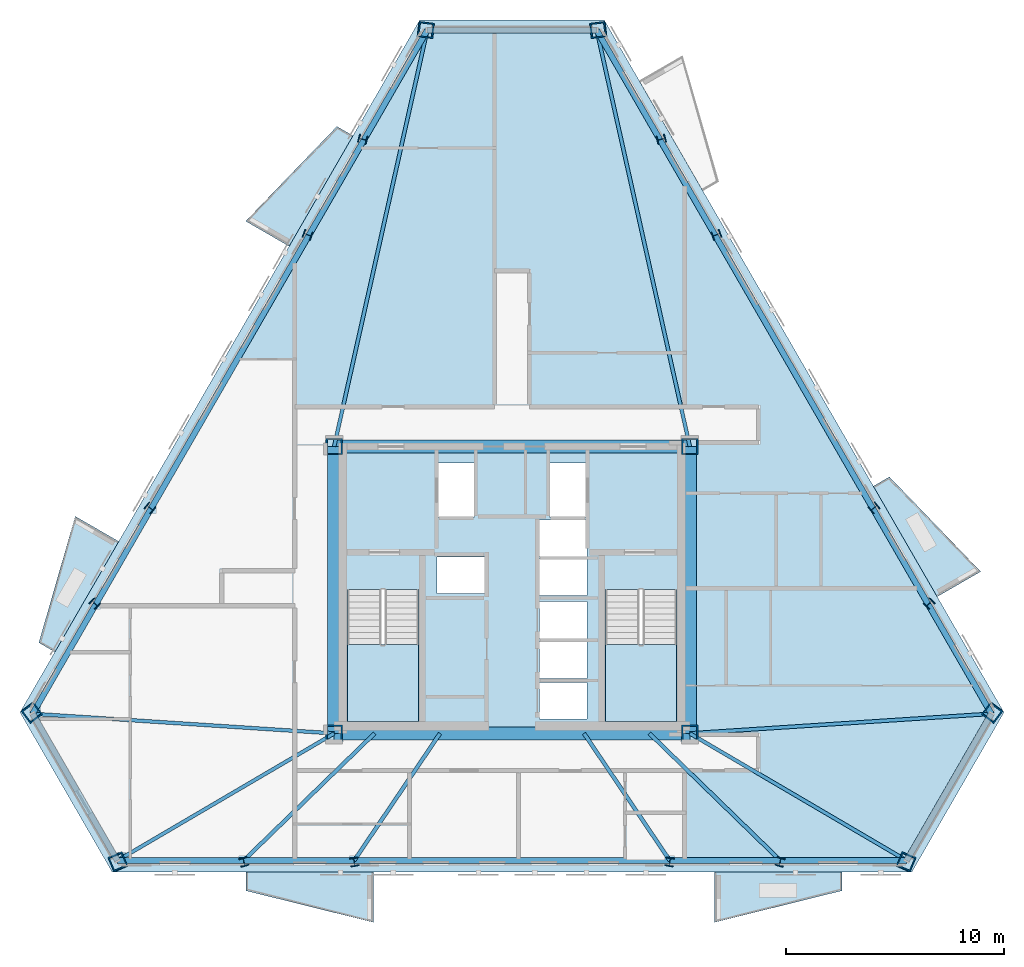
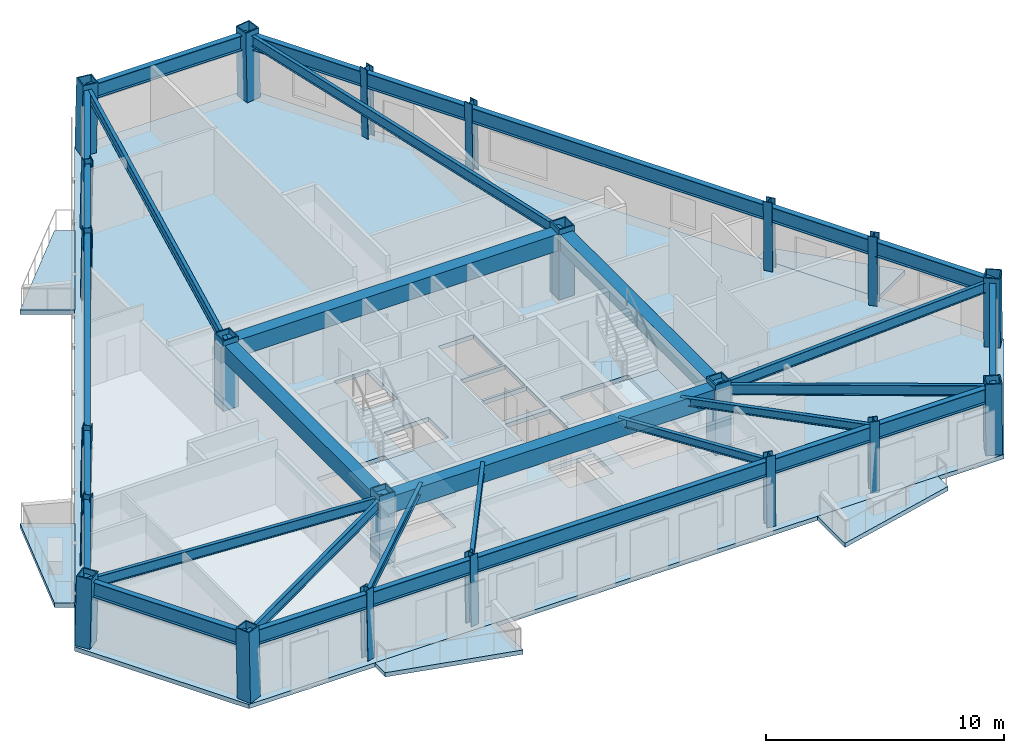
# One storey, part 1 of 9: 32 beams, 22 columns, 8 slabs, 2 elements without a shape of their own.
"""IFC4 building model written with IfcOpenShell, lengths in metres."""

from ifc_helpers import new_model, si_unit, direction, frame, origin, origin_2d, place, context, subcontext, project, spatial, polyline, rectangle, hollow_rectangle, i_section, outline, extrude, material, layer, layer_set, material_profile, profile_set, type_object, element, aggregate, save


model = new_model("IFC4")

# Units and contexts
model_context = context("Model", 3, precision=1e-05, world=origin(), true_north=direction((0.0, 1.0)))
body_context = subcontext(model_context, "Body", "Model", "MODEL_VIEW")
ifc_project = project(units=[si_unit("LENGTHUNIT", "METRE"), si_unit("AREAUNIT", "SQUARE_METRE"), si_unit("VOLUMEUNIT", "CUBIC_METRE"), si_unit("PLANEANGLEUNIT", "RADIAN"), si_unit("MASSUNIT", "GRAM", prefix="KILO")], contexts=[model_context])

# Site, building, storey
site_placement = place(None, origin())
site = spatial("IfcSite", under=ifc_project, at=site_placement, CompositionType="ELEMENT")
building_placement = place(site_placement, origin())
building = spatial("IfcBuilding", under=site, at=building_placement, Name="Oramaril Tower", CompositionType="ELEMENT")
storey_placement = place(building_placement, frame((0.0, 0.0, 185.39990234375)))
storey = spatial("IfcBuildingStorey", under=building, at=storey_placement, Name="L49", CompositionType="ELEMENT", Elevation=185.39990234375)

# Columns
ifc_material_1 = material(Name="Steel ASTM A572 Gr 50", Category="steel")
ifc_material_profile_1 = material_profile(ifc_material_1, hollow_rectangle(XDim=0.75, YDim=0.75, WallThickness=0.06005859375, at=origin_2d()), Name="BOX750X750X60")
ifc_profile_set_1 = profile_set([ifc_material_profile_1], Name="Steel ASTM A572 Gr 50")
column_type_1 = type_object("IfcColumnType", Name="CT-CC4", PredefinedType="COLUMN", material=ifc_profile_set_1)
for number, where, z_axis, x_axis, name in (
    (1, (29.35009765625, 11.0, 0.0), (0.0, 0.0, 1.0), (1.0, 0.0, 0.0), "L49 Core Column CC-1"),
    (2, (45.64990234375, 11.0, 0.0), (0.0, 0.0, 1.0), (1.0, 0.0, 0.0), "L49 Core Column CC-2"),
    (3, (45.64990234375, 24.14990234375, 0.0), (0.0, 0.0, 1.0), (1.0, 0.0, 0.0), "L49 Core Column CC-3"),
    (4, (29.35009765625, 24.14990234375, 0.0), (0.0, 0.0, 1.0), (1.0, 0.0, 0.0), "L49 Core Column CC-4"),
):
    element("IfcColumn", number, at=place(storey_placement, frame(where, z_axis=z_axis, x_axis=x_axis)), inside=storey, type_object=column_type_1, Name=name, PredefinedType="COLUMN", context=body_context, shape_type="SweptSolid", body=[
        extrude(hollow_rectangle(XDim=0.75, YDim=0.75, WallThickness=0.06005859375, at=origin_2d()), origin(), (0.0, 0.0, 1.0), 3.60009765625),
    ])
ifc_material_2 = material(Name="Steel ASTM A572 Gr 50", Category="steel")
ifc_material_profile_2 = material_profile(ifc_material_2, hollow_rectangle(XDim=0.699951171875, YDim=0.699951171875, WallThickness=0.054931640625, at=origin_2d()), Name="BOX700X700X55")
ifc_profile_set_2 = profile_set([ifc_material_profile_2], Name="Steel ASTM A572 Gr 50")
column_type_2 = type_object("IfcColumnType", Name="CT-TC4", PredefinedType="COLUMN", material=ifc_profile_set_2)
for number, where, z_axis, x_axis, name in (
    (5, (15.481201171875, 11.961669921875, 0.004638671875), (0.012914289183, -0.017128425654, 0.99976989261), (0.798476522157, 0.602025949245, 0.0), "L49 Tube Column TC-01"),
    (6, (19.442626953125, 5.100341796875, 0.004638671875), (-0.008360299019, 0.019779244021, 0.999769416869), (-0.921098258495, -0.389330191735, 0.0), "L49 Tube Column TC-02"),
    (7, (55.557373046875, 5.100341796875, 0.004638671875), (0.008360299019, 0.019779244021, 0.999769416869), (-0.921098258495, 0.389330191735, 0.0), "L49 Tube Column TC-03"),
    (8, (59.518798828125, 11.961669921875, 0.004638671875), (-0.012914289183, -0.017128425654, 0.99976989261), (0.798476522157, -0.602025949245, 0.0), "L49 Tube Column TC-04"),
    (9, (41.461181640625, 43.23779296875, 0.004638671875), (-0.021274601567, -0.002582858976, 0.999770333711), (0.120520800261, -0.99271080215, 0.0), "L49 Tube Column TC-05"),
    (10, (33.538818359375, 43.23779296875, 0.004638671875), (0.021274601567, -0.002582858976, 0.999770333711), (0.120520800261, 0.99271080215, 0.0), "L49 Tube Column TC-06"),
):
    element("IfcColumn", number, at=place(storey_placement, frame(where, z_axis=z_axis, x_axis=x_axis)), inside=storey, type_object=column_type_2, Name=name, PredefinedType="COLUMN", context=body_context, shape_type="SweptSolid", body=[
        extrude(hollow_rectangle(XDim=0.699951171875, YDim=0.699951171875, WallThickness=0.054931640625, at=origin_2d()), origin(), (0.0, 0.0, 1.0), 3.591796875),
    ])
ifc_material_3 = material(Name="Steel ASTM A572 Gr 50", Category="steel")
ifc_material_profile_3 = material_profile(ifc_material_3, i_section(OverallWidth=0.39892578125, OverallDepth=0.385986328125, WebThickness=0.02099609375, FlangeThickness=0.033203125, at=origin_2d()), Name="W14X176")
ifc_profile_set_3 = profile_set([ifc_material_profile_3], Name="Steel ASTM A572 Gr 50")
column_type_3 = type_object("IfcColumnType", Name="CT-TF4", PredefinedType="COLUMN", material=ifc_profile_set_3)
for number, where, z_axis, x_axis, name in (
    (11, (25.220947265625, 5.100341796875, 0.004638671875), (-0.005709578976, 0.01977961288, 0.999788061352), (-0.960772850227, -0.277336492849, 0.0), "L49 Tube Column TC-07"),
    (12, (30.277099609375, 5.100341796875, 0.004638671875), (-0.003398594683, 0.019779821055, 0.999798583832), (-0.985557723842, -0.169339815093, 0.0), "L49 Tube Column TC-08"),
    (13, (44.722900390625, 5.100341796875, 0.004638671875), (0.003398594683, 0.019779821055, 0.999798583832), (-0.985557723842, 0.169339815093, 0.0), "L49 Tube Column TC-09"),
    (14, (49.779052734375, 5.100341796875, 0.004638671875), (0.005709578976, 0.01977961288, 0.999788061352), (-0.960772850227, 0.277336492849, 0.0), "L49 Tube Column TC-10"),
    (15, (56.62939453125, 16.9658203125, 0.004638671875), (-0.014205993719, -0.014817735076, 0.999789290035), (0.721850347307, -0.69204918618, 0.0), "L49 Tube Column TC-11"),
    (16, (54.1015625, 21.344482421875, 0.004638671875), (-0.015497586492, -0.012778711668, 0.999798244318), (0.636181582749, -0.771539366313, 0.0), "L49 Tube Column TC-12"),
    (17, (46.87841796875, 33.85498046875, 0.004638671875), (-0.018760268696, -0.006933142779, 0.999799971919), (0.346650140872, -0.937994498829, 0.0), "L49 Tube Column TC-13"),
    (18, (44.3505859375, 38.233642578125, 0.004638671875), (-0.019983531816, -0.004893926159, 0.99978833157), (0.237868729379, -0.971297311632, 0.0), "L49 Tube Column TC-14"),
    (19, (30.6494140625, 38.233642578125, 0.004638671875), (0.019983531816, -0.004893926159, 0.99978833157), (0.237868729379, 0.971297311632, 0.0), "L49 Tube Column TC-15"),
    (20, (28.12158203125, 33.85498046875, 0.004638671875), (0.018760268696, -0.006933142779, 0.999799971919), (0.346650140872, 0.937994498829, 0.0), "L49 Tube Column TC-16"),
    (21, (20.8984375, 21.344482421875, 0.004638671875), (0.015429630839, -0.0127787251, 0.999799295197), (0.637845417267, 0.770164413402, 0.0), "L49 Tube Column TC-17"),
    (22, (18.37060546875, 16.9658203125, 0.004638671875), (0.014205993719, -0.014817735076, 0.999789290035), (0.721850347307, 0.69204918618, 0.0), "L49 Tube Column TC-18"),
):
    element("IfcColumn", number, at=place(storey_placement, frame(where, z_axis=z_axis, x_axis=x_axis)), inside=storey, type_object=column_type_3, Name=name, PredefinedType="COLUMN", context=body_context, shape_type="SweptSolid", body=[
        extrude(i_section(OverallWidth=0.39892578125, OverallDepth=0.385986328125, WebThickness=0.02099609375, FlangeThickness=0.033203125, at=origin_2d()), origin(), (0.0, 0.0, 1.0), 3.591796875),
    ])

# Beams
ifc_material_4 = material(Name="Concrete C50/60", Category="concrete")
ifc_material_profile_4 = material_profile(ifc_material_4, rectangle(XDim=0.60009765625, YDim=0.85009765625, at=origin_2d()), Name="CB600X850")
ifc_profile_set_4 = profile_set([ifc_material_profile_4], Name="Concrete C50/60")
beam_type_1 = type_object("IfcBeamType", Name="BT-CB2", PredefinedType="BEAM", material=ifc_profile_set_4)
beam_1_placement = place(storey_placement, frame((29.35009765625, 11.0, 2.9150390625), z_axis=(1.0, 0.0, 0.0), x_axis=(0.0, 1.0, 0.0)))
element("IfcBeam", 23, at=beam_1_placement, inside=storey, type_object=beam_type_1, Name="L49 Core Header Beam CB-1", PredefinedType="BEAM", context=body_context, shape_type="SweptSolid", body=[
    extrude(rectangle(XDim=0.60009765625, YDim=0.85009765625, at=origin_2d()), origin(), (0.0, 0.0, 1.0), 16.2998046875),
])
beam_2_placement = place(storey_placement, frame((45.64990234375, 11.0, 2.9150390625), z_axis=(0.0, 1.0, 0.0), x_axis=(-1.0, 0.0, 0.0)))
element("IfcBeam", 24, at=beam_2_placement, inside=storey, type_object=beam_type_1, Name="L49 Core Header Beam CB-2", PredefinedType="BEAM", context=body_context, shape_type="SweptSolid", body=[
    extrude(rectangle(XDim=0.60009765625, YDim=0.85009765625, at=origin_2d()), origin(), (0.0, 0.0, 1.0), 13.14990234375),
])
beam_3_placement = place(storey_placement, frame((45.64990234375, 24.14990234375, 2.9150390625), z_axis=(-1.0, 0.0, 0.0), x_axis=(0.0, -1.0, 0.0)))
element("IfcBeam", 25, at=beam_3_placement, inside=storey, type_object=beam_type_1, Name="L49 Core Header Beam CB-3", PredefinedType="BEAM", context=body_context, shape_type="SweptSolid", body=[
    extrude(rectangle(XDim=0.60009765625, YDim=0.85009765625, at=origin_2d()), origin(), (0.0, 0.0, 1.0), 16.2998046875),
])
beam_4_placement = place(storey_placement, frame((29.35009765625, 24.14990234375, 2.9150390625), z_axis=(0.0, -1.0, 0.0), x_axis=(1.0, 0.0, 0.0)))
element("IfcBeam", 26, at=beam_4_placement, inside=storey, type_object=beam_type_1, Name="L49 Core Header Beam CB-4", PredefinedType="BEAM", context=body_context, shape_type="SweptSolid", body=[
    extrude(rectangle(XDim=0.60009765625, YDim=0.85009765625, at=origin_2d()), origin(), (0.0, 0.0, 1.0), 13.14990234375),
])
ifc_material_5 = material(Name="Steel ASTM A572 Gr 50", Category="steel")
ifc_material_profile_5 = material_profile(ifc_material_5, i_section(OverallWidth=0.166015625, OverallDepth=0.528076171875, WebThickness=0.009765625, FlangeThickness=0.013671875, at=origin_2d()), Name="W21X50")
ifc_profile_set_5 = profile_set([ifc_material_profile_5], Name="Steel ASTM A572 Gr 50")
beam_type_2 = type_object("IfcBeamType", Name="BT-FB3", PredefinedType="BEAM", material=ifc_profile_set_5)
beam_5_placement = place(storey_placement, frame((29.35009765625, 11.0, 3.076171875), z_axis=(-0.997886297222, 0.064984135116, 0.0), x_axis=(-0.064984135116, -0.997886297222, 0.0)))
element("IfcBeam", 27, at=beam_5_placement, inside=storey, type_object=beam_type_2, Name="L49 Radial Primary Beam RB-01", PredefinedType="BEAM", context=body_context, shape_type="SweptSolid", body=[
    extrude(i_section(OverallWidth=0.166015625, OverallDepth=0.528076171875, WebThickness=0.009765625, FlangeThickness=0.013671875, at=origin_2d()), origin(), (0.0, 0.0, 1.0), 13.851806640625),
])
for number, where, z_axis, x_axis, name in (
    (28, (29.35009765625, 11.0, 3.076171875), (-0.86257743555, -0.505925061329, 0.0), (0.505925061329, -0.86257743555, 0.0), "L49 Radial Primary Beam RB-02"),
    (29, (45.64990234375, 11.0, 3.076171875), (0.86257743555, -0.505925061329, 0.0), (0.505925061329, 0.86257743555, 0.0), "L49 Radial Primary Beam RB-03"),
):
    element("IfcBeam", number, at=place(storey_placement, frame(where, z_axis=z_axis, x_axis=x_axis)), inside=storey, type_object=beam_type_2, Name=name, PredefinedType="BEAM", context=body_context, shape_type="SweptSolid", body=[
        extrude(i_section(OverallWidth=0.166015625, OverallDepth=0.528076171875, WebThickness=0.009765625, FlangeThickness=0.013671875, at=origin_2d()), origin(), (0.0, 0.0, 1.0), 11.520751953125),
    ])
beam_6_placement = place(storey_placement, frame((45.64990234375, 11.0, 3.076171875), z_axis=(0.997886297222, 0.064984135116, 0.0), x_axis=(-0.064984135116, 0.997886297222, 0.0)))
element("IfcBeam", 30, at=beam_6_placement, inside=storey, type_object=beam_type_2, Name="L49 Radial Primary Beam RB-04", PredefinedType="BEAM", context=body_context, shape_type="SweptSolid", body=[
    extrude(i_section(OverallWidth=0.166015625, OverallDepth=0.528076171875, WebThickness=0.009765625, FlangeThickness=0.013671875, at=origin_2d()), origin(), (0.0, 0.0, 1.0), 13.851806640625),
])
for number, where, z_axis, x_axis, name in (
    (31, (45.64990234375, 24.14990234375, 3.076171875), (-0.218170591236, 0.975910648123, 0.0), (-0.975910648123, -0.218170591236, 0.0), "L49 Radial Primary Beam RB-05"),
    (32, (29.35009765625, 24.14990234375, 3.076171875), (0.218170591236, 0.975910648123, 0.0), (-0.975910648123, 0.218170591236, 0.0), "L49 Radial Primary Beam RB-06"),
):
    element("IfcBeam", number, at=place(storey_placement, frame(where, z_axis=z_axis, x_axis=x_axis)), inside=storey, type_object=beam_type_2, Name=name, PredefinedType="BEAM", context=body_context, shape_type="SweptSolid", body=[
        extrude(i_section(OverallWidth=0.166015625, OverallDepth=0.528076171875, WebThickness=0.009765625, FlangeThickness=0.013671875, at=origin_2d()), origin(), (0.0, 0.0, 1.0), 19.549560546875),
    ])
ifc_material_6 = material(Name="Steel ASTM A572 Gr 50", Category="steel")
ifc_material_profile_6 = material_profile(ifc_material_6, i_section(OverallWidth=0.177978515625, OverallDepth=0.404052734375, WebThickness=0.007568359375, FlangeThickness=0.010986328125, at=origin_2d()), Name="W16X36")
ifc_profile_set_6 = profile_set([ifc_material_profile_6], Name="Steel ASTM A572 Gr 50")
beam_type_3 = type_object("IfcBeamType", Name="BT-SB1", PredefinedType="BEAM", material=ifc_profile_set_6)
beam_7_placement = place(storey_placement, frame((31.199951171875, 11.0, 3.13818359375), z_axis=(-0.717248537977, -0.696817432883, 0.0), x_axis=(0.696817432883, -0.717248537977, 0.0)))
element("IfcBeam", 33, at=beam_7_placement, inside=storey, type_object=beam_type_3, Name="L49 Secondary Floor Beam SB-01", PredefinedType="BEAM", context=body_context, shape_type="SweptSolid", body=[
    extrude(i_section(OverallWidth=0.177978515625, OverallDepth=0.404052734375, WebThickness=0.007568359375, FlangeThickness=0.010986328125, at=origin_2d()), origin(), (0.0, 0.0, 1.0), 8.364501953125),
])
for number, where, z_axis, x_axis, name in (
    (34, (34.199951171875, 11.0, 3.13818359375), (-0.559545593075, -0.828799571229, 0.0), (0.828799571229, -0.559545593075, 0.0), "L49 Secondary Floor Beam SB-02"),
    (35, (40.800048828125, 11.0, 3.13818359375), (0.559545593075, -0.828799571229, 0.0), (0.828799571229, 0.559545593075, 0.0), "L49 Secondary Floor Beam SB-03"),
):
    element("IfcBeam", number, at=place(storey_placement, frame(where, z_axis=z_axis, x_axis=x_axis)), inside=storey, type_object=beam_type_3, Name=name, PredefinedType="BEAM", context=body_context, shape_type="SweptSolid", body=[
        extrude(i_section(OverallWidth=0.177978515625, OverallDepth=0.404052734375, WebThickness=0.007568359375, FlangeThickness=0.010986328125, at=origin_2d()), origin(), (0.0, 0.0, 1.0), 7.03271484375),
    ])
beam_8_placement = place(storey_placement, frame((43.800048828125, 11.0, 3.13818359375), z_axis=(0.717248537977, -0.696817432883, 0.0), x_axis=(0.696817432883, 0.717248537977, 0.0)))
element("IfcBeam", 36, at=beam_8_placement, inside=storey, type_object=beam_type_3, Name="L49 Secondary Floor Beam SB-04", PredefinedType="BEAM", context=body_context, shape_type="SweptSolid", body=[
    extrude(i_section(OverallWidth=0.177978515625, OverallDepth=0.404052734375, WebThickness=0.007568359375, FlangeThickness=0.010986328125, at=origin_2d()), origin(), (0.0, 0.0, 1.0), 8.364501953125),
])
ifc_material_7 = material(Name="Steel ASTM A572 Gr 50", Category="steel")
ifc_material_profile_7 = material_profile(ifc_material_7, i_section(OverallWidth=0.26708984375, OverallDepth=0.77001953125, WebThickness=0.015625, FlangeThickness=0.025390625, at=origin_2d()), Name="W30X132")
ifc_profile_set_7 = profile_set([ifc_material_profile_7], Name="Steel ASTM A572 Gr 50")
beam_type_4 = type_object("IfcBeamType", Name="BT-SP3", PredefinedType="SPANDREL", material=ifc_profile_set_7)
beam_9_placement = place(storey_placement, frame((15.527587890625, 11.900146484375, 2.955078125), z_axis=(0.50001529993, -0.866016570186, 0.0), x_axis=(0.866016570186, 0.50001529993, 0.0)))
element("IfcBeam", 37, at=beam_9_placement, inside=storey, type_object=beam_type_4, Name="L49 Perimeter Spandrel 01", PredefinedType="SPANDREL", context=body_context, shape_type="SweptSolid", body=[
    extrude(i_section(OverallWidth=0.26708984375, OverallDepth=0.77001953125, WebThickness=0.015625, FlangeThickness=0.025390625, at=origin_2d()), origin(), (0.0, 0.0, 1.0), 7.769775390625),
])
beam_10_placement = place(storey_placement, frame((19.41259765625, 5.17138671875, 2.955078125), z_axis=(1.0, 0.0, 0.0), x_axis=(0.0, 1.0, 0.0)))
element("IfcBeam", 38, at=beam_10_placement, inside=storey, type_object=beam_type_4, Name="L49 Perimeter Spandrel 02", PredefinedType="SPANDREL", context=body_context, shape_type="SweptSolid", body=[
    extrude(i_section(OverallWidth=0.26708984375, OverallDepth=0.77001953125, WebThickness=0.015625, FlangeThickness=0.025390625, at=origin_2d()), origin(), (0.0, 0.0, 1.0), 5.787841796875),
])
beam_11_placement = place(storey_placement, frame((25.200439453125, 5.17138671875, 2.955078125), z_axis=(1.0, 0.0, 0.0), x_axis=(0.0, 1.0, 0.0)))
element("IfcBeam", 39, at=beam_11_placement, inside=storey, type_object=beam_type_4, Name="L49 Perimeter Spandrel 03", PredefinedType="SPANDREL", context=body_context, shape_type="SweptSolid", body=[
    extrude(i_section(OverallWidth=0.26708984375, OverallDepth=0.77001953125, WebThickness=0.015625, FlangeThickness=0.025390625, at=origin_2d()), origin(), (0.0, 0.0, 1.0), 5.064453125),
])
beam_12_placement = place(storey_placement, frame((30.264892578125, 5.17138671875, 2.955078125), z_axis=(1.0, 0.0, 0.0), x_axis=(0.0, 1.0, 0.0)))
element("IfcBeam", 40, at=beam_12_placement, inside=storey, type_object=beam_type_4, Name="L49 Perimeter Spandrel 04", PredefinedType="SPANDREL", context=body_context, shape_type="SweptSolid", body=[
    extrude(i_section(OverallWidth=0.26708984375, OverallDepth=0.77001953125, WebThickness=0.015625, FlangeThickness=0.025390625, at=origin_2d()), origin(), (0.0, 0.0, 1.0), 14.47021484375),
])
beam_13_placement = place(storey_placement, frame((44.735107421875, 5.17138671875, 2.955078125), z_axis=(1.0, 0.0, 0.0), x_axis=(0.0, 1.0, 0.0)))
element("IfcBeam", 41, at=beam_13_placement, inside=storey, type_object=beam_type_4, Name="L49 Perimeter Spandrel 05", PredefinedType="SPANDREL", context=body_context, shape_type="SweptSolid", body=[
    extrude(i_section(OverallWidth=0.26708984375, OverallDepth=0.77001953125, WebThickness=0.015625, FlangeThickness=0.025390625, at=origin_2d()), origin(), (0.0, 0.0, 1.0), 5.064453125),
])
beam_14_placement = place(storey_placement, frame((49.799560546875, 5.17138671875, 2.955078125), z_axis=(1.0, 0.0, 0.0), x_axis=(0.0, 1.0, 0.0)))
element("IfcBeam", 42, at=beam_14_placement, inside=storey, type_object=beam_type_4, Name="L49 Perimeter Spandrel 06", PredefinedType="SPANDREL", context=body_context, shape_type="SweptSolid", body=[
    extrude(i_section(OverallWidth=0.26708984375, OverallDepth=0.77001953125, WebThickness=0.015625, FlangeThickness=0.025390625, at=origin_2d()), origin(), (0.0, 0.0, 1.0), 5.787841796875),
])
beam_15_placement = place(storey_placement, frame((55.58740234375, 5.17138671875, 2.955078125), z_axis=(0.50001529993, 0.866016570186, 0.0), x_axis=(-0.866016570186, 0.50001529993, 0.0)))
element("IfcBeam", 43, at=beam_15_placement, inside=storey, type_object=beam_type_4, Name="L49 Perimeter Spandrel 07", PredefinedType="SPANDREL", context=body_context, shape_type="SweptSolid", body=[
    extrude(i_section(OverallWidth=0.26708984375, OverallDepth=0.77001953125, WebThickness=0.015625, FlangeThickness=0.025390625, at=origin_2d()), origin(), (0.0, 0.0, 1.0), 7.769775390625),
])
beam_16_placement = place(storey_placement, frame((59.472412109375, 11.900146484375, 2.955078125), z_axis=(-0.500013338303, 0.866017702775, 0.0), x_axis=(-0.866017702775, -0.500013338303, 0.0)))
element("IfcBeam", 44, at=beam_16_placement, inside=storey, type_object=beam_type_4, Name="L49 Perimeter Spandrel 08", PredefinedType="SPANDREL", context=body_context, shape_type="SweptSolid", body=[
    extrude(i_section(OverallWidth=0.26708984375, OverallDepth=0.77001953125, WebThickness=0.015625, FlangeThickness=0.025390625, at=origin_2d()), origin(), (0.0, 0.0, 1.0), 5.787841796875),
])
beam_17_placement = place(storey_placement, frame((56.578369140625, 16.91259765625, 2.955078125), z_axis=(-0.500032625437, 0.86600656666, 0.0), x_axis=(-0.86600656666, -0.500032625437, 0.0)))
element("IfcBeam", 45, at=beam_17_placement, inside=storey, type_object=beam_type_4, Name="L49 Perimeter Spandrel 09", PredefinedType="SPANDREL", context=body_context, shape_type="SweptSolid", body=[
    extrude(i_section(OverallWidth=0.26708984375, OverallDepth=0.77001953125, WebThickness=0.015625, FlangeThickness=0.025390625, at=origin_2d()), origin(), (0.0, 0.0, 1.0), 5.064697265625),
])
beam_18_placement = place(storey_placement, frame((54.0458984375, 21.298583984375, 2.955078125), z_axis=(-0.499989725231, 0.866031335844, 0.0), x_axis=(-0.866031335844, -0.499989725231, 0.0)))
element("IfcBeam", 46, at=beam_18_placement, inside=storey, type_object=beam_type_4, Name="L49 Perimeter Spandrel 10", PredefinedType="SPANDREL", context=body_context, shape_type="SweptSolid", body=[
    extrude(i_section(OverallWidth=0.26708984375, OverallDepth=0.77001953125, WebThickness=0.015625, FlangeThickness=0.025390625, at=origin_2d()), origin(), (0.0, 0.0, 1.0), 14.469970703125),
])
beam_19_placement = place(storey_placement, frame((46.81103515625, 33.830078125, 2.955078125), z_axis=(-0.499996471796, 0.866027440784, 0.0), x_axis=(-0.866027440784, -0.499996471796, 0.0)))
element("IfcBeam", 47, at=beam_19_placement, inside=storey, type_object=beam_type_4, Name="L49 Perimeter Spandrel 11", PredefinedType="SPANDREL", context=body_context, shape_type="SweptSolid", body=[
    extrude(i_section(OverallWidth=0.26708984375, OverallDepth=0.77001953125, WebThickness=0.015625, FlangeThickness=0.025390625, at=origin_2d()), origin(), (0.0, 0.0, 1.0), 5.064453125),
])
beam_20_placement = place(storey_placement, frame((44.27880859375, 38.216064453125, 2.955078125), z_axis=(-0.500013338303, 0.866017702775, 0.0), x_axis=(-0.866017702775, -0.500013338303, 0.0)))
element("IfcBeam", 48, at=beam_20_placement, inside=storey, type_object=beam_type_4, Name="L49 Perimeter Spandrel 12", PredefinedType="SPANDREL", context=body_context, shape_type="SweptSolid", body=[
    extrude(i_section(OverallWidth=0.26708984375, OverallDepth=0.77001953125, WebThickness=0.015625, FlangeThickness=0.025390625, at=origin_2d()), origin(), (0.0, 0.0, 1.0), 5.787841796875),
])
beam_21_placement = place(storey_placement, frame((41.384765625, 43.228515625, 2.955078125), z_axis=(-1.0, 0.0, 0.0), x_axis=(0.0, -1.0, 0.0)))
element("IfcBeam", 49, at=beam_21_placement, inside=storey, type_object=beam_type_4, Name="L49 Perimeter Spandrel 13", PredefinedType="SPANDREL", context=body_context, shape_type="SweptSolid", body=[
    extrude(i_section(OverallWidth=0.26708984375, OverallDepth=0.77001953125, WebThickness=0.015625, FlangeThickness=0.025390625, at=origin_2d()), origin(), (0.0, 0.0, 1.0), 7.76953125),
])
beam_22_placement = place(storey_placement, frame((33.615234375, 43.228515625, 2.955078125), z_axis=(-0.500013338303, -0.866017702775, 0.0), x_axis=(0.866017702775, -0.500013338303, 0.0)))
element("IfcBeam", 50, at=beam_22_placement, inside=storey, type_object=beam_type_4, Name="L49 Perimeter Spandrel 14", PredefinedType="SPANDREL", context=body_context, shape_type="SweptSolid", body=[
    extrude(i_section(OverallWidth=0.26708984375, OverallDepth=0.77001953125, WebThickness=0.015625, FlangeThickness=0.025390625, at=origin_2d()), origin(), (0.0, 0.0, 1.0), 5.787841796875),
])
beam_23_placement = place(storey_placement, frame((30.72119140625, 38.216064453125, 2.955078125), z_axis=(-0.499996471796, -0.866027440784, 0.0), x_axis=(0.866027440784, -0.499996471796, 0.0)))
element("IfcBeam", 51, at=beam_23_placement, inside=storey, type_object=beam_type_4, Name="L49 Perimeter Spandrel 15", PredefinedType="SPANDREL", context=body_context, shape_type="SweptSolid", body=[
    extrude(i_section(OverallWidth=0.26708984375, OverallDepth=0.77001953125, WebThickness=0.015625, FlangeThickness=0.025390625, at=origin_2d()), origin(), (0.0, 0.0, 1.0), 5.064453125),
])
beam_24_placement = place(storey_placement, frame((28.18896484375, 33.830078125, 2.955078125), z_axis=(-0.500002379368, -0.866024030051, 0.0), x_axis=(0.866024030051, -0.500002379368, 0.0)))
element("IfcBeam", 52, at=beam_24_placement, inside=storey, type_object=beam_type_4, Name="L49 Perimeter Spandrel 16", PredefinedType="SPANDREL", context=body_context, shape_type="SweptSolid", body=[
    extrude(i_section(OverallWidth=0.26708984375, OverallDepth=0.77001953125, WebThickness=0.015625, FlangeThickness=0.025390625, at=origin_2d()), origin(), (0.0, 0.0, 1.0), 14.47021484375),
])
beam_25_placement = place(storey_placement, frame((20.953857421875, 21.298583984375, 2.955078125), z_axis=(-0.499996471796, -0.866027440784, 0.0), x_axis=(0.866027440784, -0.499996471796, 0.0)))
element("IfcBeam", 53, at=beam_25_placement, inside=storey, type_object=beam_type_4, Name="L49 Perimeter Spandrel 17", PredefinedType="SPANDREL", context=body_context, shape_type="SweptSolid", body=[
    extrude(i_section(OverallWidth=0.26708984375, OverallDepth=0.77001953125, WebThickness=0.015625, FlangeThickness=0.025390625, at=origin_2d()), origin(), (0.0, 0.0, 1.0), 5.064453125),
])
beam_26_placement = place(storey_placement, frame((18.421630859375, 16.91259765625, 2.955078125), z_axis=(-0.500013338303, -0.866017702775, 0.0), x_axis=(0.866017702775, -0.500013338303, 0.0)))
element("IfcBeam", 54, at=beam_26_placement, inside=storey, type_object=beam_type_4, Name="L49 Perimeter Spandrel 18", PredefinedType="SPANDREL", context=body_context, shape_type="SweptSolid", body=[
    extrude(i_section(OverallWidth=0.26708984375, OverallDepth=0.77001953125, WebThickness=0.015625, FlangeThickness=0.025390625, at=origin_2d()), origin(), (0.0, 0.0, 1.0), 5.787841796875),
])

# Slabs
ifc_material_8 = material(Name="Concrete C40/50", Category="concrete")
ifc_layer_1 = layer(ifc_material_8, 0.199951171875)
ifc_layer_set_1 = layer_set([ifc_layer_1], Name="SLT-BAL20")
slab_type_1 = type_object("IfcSlabType", Name="SLT-BAL20", PredefinedType="FLOOR", material=ifc_layer_set_1)
slab_1_placement = place(storey_placement, frame((0.0, 0.0, -0.219970703125)))
element("IfcSlab", 55, at=slab_1_placement, inside=storey, type_object=slab_type_1, Name="L49 Cantilevered Balcony Slab L49-BAL-S1", PredefinedType="FLOOR", context=body_context, shape_type="SweptSolid", body=[
    extrude(outline(polyline([(25.302001953125, 4.642333984375), (31.152099609375, 4.642333984375), (31.152099609375, 2.34033203125), (25.302001953125, 3.790283203125), (25.302001953125, 4.642333984375)])), origin(), (0.0, 0.0, 1.0), 0.219970703125),
])
slab_2_placement = place(storey_placement, frame((0.0, 0.0, -0.219970703125)))
element("IfcSlab", 56, at=slab_2_placement, inside=storey, type_object=slab_type_1, Name="L49 Cantilevered Balcony Slab L49-BAL-NW1", PredefinedType="FLOOR", context=body_context, shape_type="SweptSolid", body=[
    extrude(outline(polyline([(30.21240234375, 38.392578125), (27.287353515625, 33.326416015625), (25.293701171875, 34.477294921875), (29.474609375, 38.818603515625), (30.21240234375, 38.392578125)])), origin(), (0.0, 0.0, 1.0), 0.219970703125),
])
ifc_material_9 = material(Name="Concrete C50/60", Category="concrete")
ifc_layer_2 = layer(ifc_material_9, 0.219970703125)
ifc_layer_set_2 = layer_set([ifc_layer_2], Name="SLT-FLR22")
slab_type_2 = type_object("IfcSlabType", Name="SLT-FLR22", PredefinedType="FLOOR", material=ifc_layer_set_2)
slab_3_placement = place(storey_placement, frame((0.0, 0.0, -0.219970703125)))
element("IfcSlab", 57, at=slab_3_placement, inside=storey, type_object=slab_type_2, Name="L49 Structural Floor Slab", PredefinedType="FLOOR", context=body_context, shape_type="SweptSolid", body=[
    extrude(outline(polyline([(14.9501953125, 11.961669921875), (19.177001953125, 4.640380859375), (55.822998046875, 4.640380859375), (60.0498046875, 11.961669921875), (41.726806640625, 43.697998046875), (33.273193359375, 43.697998046875), (14.9501953125, 11.961669921875)]), holes=[polyline([(29.949951171875, 17.58935546875), (29.949951171875, 11.550048828125), (33.219970703125, 11.550048828125), (33.219970703125, 17.58935546875), (29.949951171875, 17.58935546875)]), polyline([(41.780029296875, 17.58935546875), (41.780029296875, 11.550048828125), (45.050048828125, 11.550048828125), (45.050048828125, 17.58935546875), (41.780029296875, 17.58935546875)]), polyline([(34.110107421875, 20.909912109375), (35.7900390625, 20.909912109375), (35.7900390625, 23.389892578125), (34.110107421875, 23.389892578125), (34.110107421875, 20.909912109375)]), polyline([(39.2099609375, 20.909912109375), (40.889892578125, 20.909912109375), (40.889892578125, 23.389892578125), (39.2099609375, 23.389892578125), (39.2099609375, 20.909912109375)]), polyline([(38.760009765625, 11.659912109375), (40.93994140625, 11.659912109375), (40.93994140625, 13.340087890625), (38.760009765625, 13.340087890625), (38.760009765625, 11.659912109375)]), polyline([(38.760009765625, 13.510009765625), (40.93994140625, 13.510009765625), (40.93994140625, 15.18994140625), (38.760009765625, 15.18994140625), (38.760009765625, 13.510009765625)]), polyline([(38.760009765625, 15.360107421875), (40.93994140625, 15.360107421875), (40.93994140625, 17.0400390625), (38.760009765625, 17.0400390625), (38.760009765625, 15.360107421875)]), polyline([(34.06005859375, 17.409912109375), (36.239990234375, 17.409912109375), (36.239990234375, 19.090087890625), (34.06005859375, 19.090087890625), (34.06005859375, 17.409912109375)]), polyline([(38.760009765625, 17.31005859375), (40.93994140625, 17.31005859375), (40.93994140625, 18.989990234375), (38.760009765625, 18.989990234375), (38.760009765625, 17.31005859375)]), polyline([(38.760009765625, 19.110107421875), (40.93994140625, 19.110107421875), (40.93994140625, 20.7900390625), (38.760009765625, 20.7900390625), (38.760009765625, 19.110107421875)])]), origin(), (0.0, 0.0, 1.0), 0.219970703125),
])

# Stair, slab
ifc_material_10 = material(Name="Concrete C50/60", Category="concrete")
stair_type = type_object("IfcStairType", Name="STT-DG-3600", PredefinedType="HALF_TURN_STAIR", material=ifc_material_10)
stair_1_placement = place(storey_placement, origin())
stair_1 = element("IfcStair", 58, at=stair_1_placement, inside=storey, type_object=stair_type, Name="L49 Protected PFP Exit Stair ST-1", PredefinedType="HALF_TURN_STAIR")
ifc_material_11 = material(Name="Concrete C50/60", Category="concrete")
ifc_layer_3 = layer(ifc_material_11, 0.199951171875)
ifc_layer_set_3 = layer_set([ifc_layer_3], Name="SLT-LND20")
slab_type_3 = type_object("IfcSlabType", Name="SLT-LND20", PredefinedType="LANDING", material=ifc_layer_set_3)
slab_4_placement = place(storey_placement, frame((0.0, 0.0, 1.60009765625)))
slab_4 = element("IfcSlab", 59, at=slab_4_placement, type_object=slab_type_3, Name="ST-1 landing 1", PredefinedType="LANDING", context=body_context, shape_type="SweptSolid", body=[
    extrude(outline(polyline([(29.949951171875, 15.070068359375), (29.949951171875, 11.550048828125), (33.219970703125, 11.550048828125), (33.219970703125, 15.070068359375), (29.949951171875, 15.070068359375)])), origin(), (0.0, 0.0, 1.0), 0.199951171875),
])
aggregate(stair_1, [slab_4])

stair_2_placement = place(storey_placement, origin())
stair_2 = element("IfcStair", 60, at=stair_2_placement, inside=storey, type_object=stair_type, Name="L49 Protected PFP Exit Stair ST-2", PredefinedType="HALF_TURN_STAIR")
slab_5_placement = place(storey_placement, frame((0.0, 0.0, 1.60009765625)))
slab_5 = element("IfcSlab", 61, at=slab_5_placement, type_object=slab_type_3, Name="ST-2 landing 1", PredefinedType="LANDING", context=body_context, shape_type="SweptSolid", body=[
    extrude(outline(polyline([(41.780029296875, 15.070068359375), (41.780029296875, 11.550048828125), (45.050048828125, 11.550048828125), (45.050048828125, 15.070068359375), (41.780029296875, 15.070068359375)])), origin(), (0.0, 0.0, 1.0), 0.199951171875),
])
aggregate(stair_2, [slab_5])

# Slabs
ifc_material_12 = material(Name="Concrete C40/50", Category="concrete")
ifc_layer_4 = layer(ifc_material_12, 0.18994140625)
ifc_layer_set_4 = layer_set([ifc_layer_4], Name="SLT-PLN19")
slab_type_4 = type_object("IfcSlabType", Name="SLT-PLN19", PredefinedType="FLOOR", material=ifc_layer_set_4)
slab_6_placement = place(storey_placement, frame((0.0, 0.0, -0.219970703125)))
element("IfcSlab", 62, at=slab_6_placement, inside=storey, type_object=slab_type_4, Name="L49 Tree Planter Balcony Slab L49-BAL-S2", PredefinedType="FLOOR", context=body_context, shape_type="SweptSolid", body=[
    extrude(outline(polyline([(46.77294921875, 4.642333984375), (52.622802734375, 4.642333984375), (52.622802734375, 3.790283203125), (46.77294921875, 2.34033203125), (46.77294921875, 4.642333984375)])), origin(), (0.0, 0.0, 1.0), 0.219970703125),
])
slab_7_placement = place(storey_placement, frame((0.0, 0.0, -0.219970703125)))
element("IfcSlab", 63, at=slab_7_placement, inside=storey, type_object=slab_type_4, Name="L49 Tree Planter Balcony Slab L49-BAL-NE1", PredefinedType="FLOOR", context=body_context, shape_type="SweptSolid", body=[
    extrude(outline(polyline([(56.985595703125, 17.264892578125), (54.060791015625, 22.331298828125), (54.798583984375, 22.757080078125), (58.979248046875, 18.416015625), (56.985595703125, 17.264892578125)])), origin(), (0.0, 0.0, 1.0), 0.219970703125),
])
slab_8_placement = place(storey_placement, frame((0.0, 0.0, -0.219970703125)))
element("IfcSlab", 64, at=slab_8_placement, inside=storey, type_object=slab_type_4, Name="L49 Tree Planter Balcony Slab L49-BAL-NW2", PredefinedType="FLOOR", context=body_context, shape_type="SweptSolid", body=[
    extrude(outline(polyline([(19.476806640625, 19.798095703125), (16.5517578125, 14.73193359375), (15.81396484375, 15.157958984375), (17.483154296875, 20.94921875), (19.476806640625, 19.798095703125)])), origin(), (0.0, 0.0, 1.0), 0.219970703125),
])

save(model, "model.ifc")
